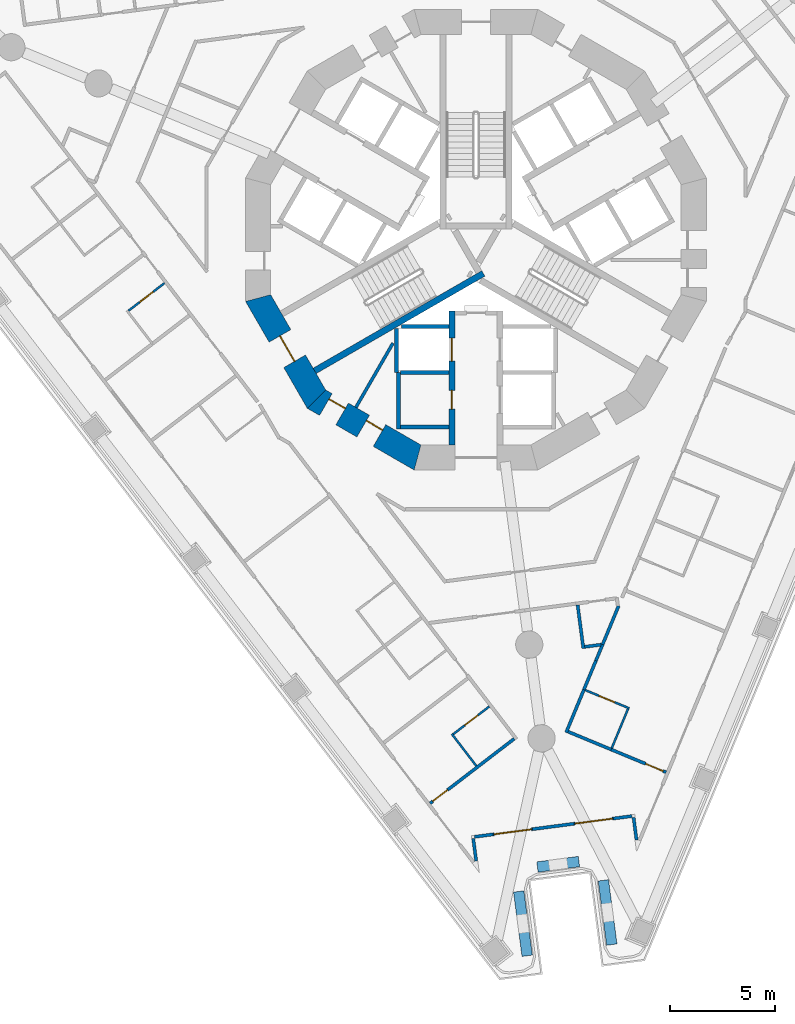
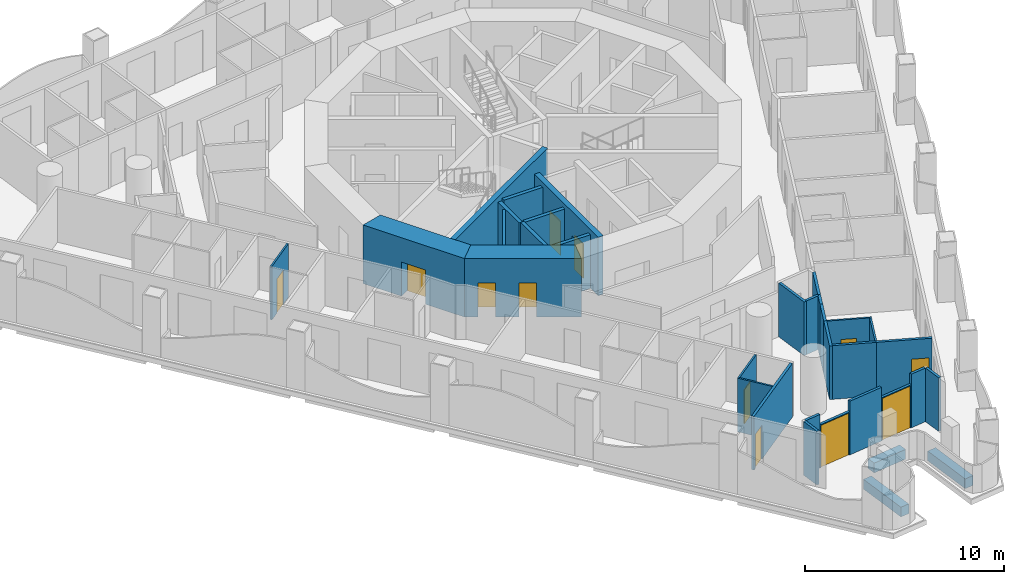
# One storey, part 3 of 19: 34 walls, 12 doors, 12 openings.
"""IFC4 building model written with IfcOpenShell, lengths in metres."""

from ifc_helpers import new_model, si_unit, direction, frame, frame_2d, origin, place, context, subcontext, project, spatial, polyline, rectangle, outline, extrude, material, layer, layer_set, type_object, element, fill, save


model = new_model("IFC4")

# Units and contexts
model_context = context("Model", 3, precision=1e-05, world=origin(), true_north=direction((0.0, 1.0)))
body_context = subcontext(model_context, "Body", "Model", "MODEL_VIEW")
ifc_project = project(units=[si_unit("LENGTHUNIT", "METRE"), si_unit("AREAUNIT", "SQUARE_METRE"), si_unit("VOLUMEUNIT", "CUBIC_METRE"), si_unit("PLANEANGLEUNIT", "RADIAN"), si_unit("MASSUNIT", "GRAM", prefix="KILO")], contexts=[model_context])

# Site, building, storey
site_placement = place(None, origin())
site = spatial("IfcSite", under=ifc_project, at=site_placement, CompositionType="ELEMENT")
building_placement = place(site_placement, origin())
building = spatial("IfcBuilding", under=site, at=building_placement, Name="Trine Commons Tower", CompositionType="ELEMENT")
storey_placement = place(building_placement, frame((0.0, 0.0, 68.39990234375)))
storey = spatial("IfcBuildingStorey", under=building, at=storey_placement, Name="L16", CompositionType="ELEMENT", Elevation=68.39990234375)

# Walls
ifc_material_1 = material(Name="Plasterboard partition on steel studs", Category="steel")
ifc_layer_1 = layer(ifc_material_1, 0.14990234375)
ifc_layer_set_1 = layer_set([ifc_layer_1], Name="Plasterboard partition on steel studs")
wall_type_1 = type_object("IfcWallType", Name="Core room partition 150 mm, EI 60", PredefinedType="PARTITIONING", material=ifc_layer_set_1)
wall_1_placement = place(storey_placement, frame((74.260986328125, 54.48388671875, 0.0), z_axis=(0.0, 0.0, 1.0), x_axis=(0.500062019353, 0.865989593933, 0.0)))
element("IfcWall", 1, at=wall_1_placement, inside=storey, type_object=wall_type_1, Name="Core room partition L16", PredefinedType="PARTITIONING", context=body_context, shape_type="SweptSolid", body=[
    extrude(rectangle(XDim=3.54736328125, YDim=0.14990234375, at=frame_2d((1.773681640625, 0.0))), origin(), (0.0, 0.0, 1.0), 3.300048828125),
])
ifc_material_2 = material(Name="Aluminium-framed insulated wall panel", Category="aluminium")
ifc_layer_2 = layer(ifc_material_2, 0.14990234375)
ifc_layer_set_2 = layer_set([ifc_layer_2], Name="Aluminium-framed insulated wall panel")
wall_type_2 = type_object("IfcWallType", Name="Glazed frame wall 150, EI 60", PredefinedType="SOLIDWALL", material=ifc_layer_set_2)
wall_2_placement = place(storey_placement, frame((87.6953125, 33.6591796875, 0.0), z_axis=(0.0, 0.0, 1.0), x_axis=(-0.130510858064, 0.991446880033, 0.0)))
element("IfcWall", 2, at=wall_2_placement, inside=storey, type_object=wall_type_2, Name="Glazed frame wall R9", PredefinedType="SOLIDWALL", context=body_context, shape_type="SweptSolid", body=[
    extrude(outline(polyline([(0.1494140625, 0.074951171875), (0.1494140625, -0.074951171875), (1.235107421875, -0.074951171875), (1.235107421875, 0.074951171875), (0.1494140625, 0.074951171875)])), origin(), (0.0, 0.0, 1.0), 3.300048828125),
])
wall_3_placement = place(storey_placement, frame((87.55908203125, 34.96240234375, 0.0), z_axis=(0.0, 0.0, 1.0), x_axis=(-0.991465094935, -0.130372410907, 0.0)))
element("IfcWall", 3, at=wall_3_placement, inside=storey, type_object=wall_type_2, Name="Glazed frame wall P3.1", PredefinedType="SOLIDWALL", context=body_context, shape_type="SweptSolid", body=[
    extrude(outline(polyline([(0.110107421875, -0.074951171875), (1.0, -0.074951171875), (1.0, 0.074951171875), (0.110107421875, 0.074951171875), (0.110107421875, -0.074951171875)])), origin(), (0.0, 0.0, 1.0), 3.300048828125),
])

# Wall, opening, door
wall_4_placement = place(storey_placement, frame((86.567626953125, 34.83203125, 0.0), z_axis=(0.0, 0.0, 1.0), x_axis=(-0.991442045538, -0.130547578832, 0.0)))
wall_4 = element("IfcWall", 4, at=wall_4_placement, inside=storey, type_object=wall_type_2, Name="Glazed frame wall P3.2", PredefinedType="SOLIDWALL", context=body_context, shape_type="SweptSolid", body=[
    extrude(outline(polyline([(0.0, -0.074951171875), (1.89990234375, -0.074951171875), (1.89990234375, 0.074951171875), (0.0, 0.074951171875), (0.0, -0.074951171875)])), origin(), (0.0, 0.0, 1.0), 2.650146484375),
])
opening_1_placement = place(wall_4_placement, frame((0.050048828125, 0.0, 0.0)))
opening_1 = element("IfcOpeningElement", 5, at=opening_1_placement, cuts=wall_4, Name="Opening BD-2P3-01", PredefinedType="OPENING", context=body_context, shape_type="SweptSolid", body=[
    extrude(rectangle(XDim=1.800048828125, YDim=2.60009765625, at=frame_2d((0.89990234375, 1.300048828125))), frame((0.0, 0.0849609375, 0.0), z_axis=(0.0, -1.0, 0.0), x_axis=(1.0, 0.0, 0.0)), (0.0, 0.0, 1.0), 0.169921875),
])
ifc_material_3 = material(Name="Anodised aluminium frame with double glazing", Category="aluminium")
door_type_1 = type_object("IfcDoorType", Name="Sliding loggia door 1800x2600", OperationType="SLIDING_TO_LEFT", PredefinedType="DOOR", material=ifc_material_3)
door_1_placement = place(opening_1_placement, origin())
door_1 = element("IfcDoor", 6, at=door_1_placement, inside=storey, type_object=door_type_1, Name="Loggia door P3 1", OperationType="SLIDING_TO_LEFT", OverallHeight=2.60009765625, OverallWidth=1.800048828125, PredefinedType="DOOR", context=body_context, shape_type="SweptSolid", body=[
    extrude(rectangle(XDim=1.800048828125, YDim=2.60009765625, at=frame_2d((0.89990234375, 1.300048828125))), frame((0.0, 0.02490234375, 0.0), z_axis=(0.0, -1.0, 0.0), x_axis=(1.0, 0.0, 0.0)), (0.0, 0.0, 1.0), 0.050048828125),
])
fill(opening_1, door_1)

# Wall
wall_5_placement = place(storey_placement, frame((84.683837890625, 34.583984375, 0.0), z_axis=(0.0, 0.0, 1.0), x_axis=(-0.991449308994, -0.130492404742, 0.0)))
element("IfcWall", 7, at=wall_5_placement, inside=storey, type_object=wall_type_2, Name="Glazed frame wall P3.3", PredefinedType="SOLIDWALL", context=body_context, shape_type="SweptSolid", body=[
    extrude(outline(polyline([(0.0, -0.074951171875), (2.0, -0.074951171875), (2.0, 0.074951171875), (0.0, 0.074951171875), (0.0, -0.074951171875)])), origin(), (0.0, 0.0, 1.0), 3.300048828125),
])

# Wall, opening, door
wall_6_placement = place(storey_placement, frame((82.700927734375, 34.322998046875, 0.0), z_axis=(0.0, 0.0, 1.0), x_axis=(-0.991442045538, -0.130547578832, 0.0)))
wall_6 = element("IfcWall", 8, at=wall_6_placement, inside=storey, type_object=wall_type_2, Name="Glazed frame wall P3.4", PredefinedType="SOLIDWALL", context=body_context, shape_type="SweptSolid", body=[
    extrude(outline(polyline([(0.0, -0.074951171875), (1.89990234375, -0.074951171875), (1.89990234375, 0.074951171875), (0.0, 0.074951171875), (0.0, -0.074951171875)])), origin(), (0.0, 0.0, 1.0), 2.650146484375),
])
opening_2_placement = place(wall_6_placement, frame((0.050048828125, 0.0, 0.0)))
opening_2 = element("IfcOpeningElement", 9, at=opening_2_placement, cuts=wall_6, Name="Opening BD-2P3-02", PredefinedType="OPENING", context=body_context, shape_type="SweptSolid", body=[
    extrude(rectangle(XDim=1.800048828125, YDim=2.60009765625, at=frame_2d((0.89990234375, 1.300048828125))), frame((0.0, 0.0849609375, 0.0), z_axis=(0.0, -1.0, 0.0), x_axis=(1.0, 0.0, 0.0)), (0.0, 0.0, 1.0), 0.169921875),
])
door_2_placement = place(opening_2_placement, origin())
door_2 = element("IfcDoor", 10, at=door_2_placement, inside=storey, type_object=door_type_1, Name="Loggia door P3 2", OperationType="SLIDING_TO_LEFT", OverallHeight=2.60009765625, OverallWidth=1.800048828125, PredefinedType="DOOR", context=body_context, shape_type="SweptSolid", body=[
    extrude(rectangle(XDim=1.800048828125, YDim=2.60009765625, at=frame_2d((0.89990234375, 1.300048828125))), frame((0.0, 0.02490234375, 0.0), z_axis=(0.0, -1.0, 0.0), x_axis=(1.0, 0.0, 0.0)), (0.0, 0.0, 1.0), 0.050048828125),
])
fill(opening_2, door_2)

# Walls
wall_7_placement = place(storey_placement, frame((80.817138671875, 34.074951171875, 0.0), z_axis=(0.0, 0.0, 1.0), x_axis=(-0.991433509034, -0.130612392842, 0.0)))
element("IfcWall", 11, at=wall_7_placement, inside=storey, type_object=wall_type_2, Name="Glazed frame wall P3.5", PredefinedType="SOLIDWALL", context=body_context, shape_type="SweptSolid", body=[
    extrude(outline(polyline([(0.889892578125, 0.074951171875), (0.0, 0.074951171875), (0.0, -0.074951171875), (0.889892578125, -0.074951171875), (0.889892578125, 0.074951171875)])), origin(), (0.0, 0.0, 1.0), 3.300048828125),
])
wall_8_placement = place(storey_placement, frame((79.85595703125, 33.983642578125, 0.0), z_axis=(0.0, 0.0, 1.0), x_axis=(0.130510858064, -0.991446880033, 0.0)))
element("IfcWall", 12, at=wall_8_placement, inside=storey, type_object=wall_type_2, Name="Glazed frame wall R11", PredefinedType="SOLIDWALL", context=body_context, shape_type="SweptSolid", body=[
    extrude(outline(polyline([(0.110107421875, 0.074951171875), (0.110107421875, -0.074951171875), (1.19580078125, -0.074951171875), (1.19580078125, 0.074951171875), (0.110107421875, 0.074951171875)])), origin(), (0.0, 0.0, 1.0), 3.300048828125),
])
ifc_material_4 = material(Name="Planter trough, precast concrete C40/50", Category="concrete")
ifc_layer_3 = layer(ifc_material_4, 0.5)
ifc_layer_set_3 = layer_set([ifc_layer_3], Name="Planter trough, precast concrete C40/50")
wall_type_3 = type_object("IfcWallType", Name="Planter trough 500x600", PredefinedType="PARAPET", material=ifc_layer_set_3)
wall_9_placement = place(storey_placement, frame((86.493408203125, 28.805908203125, 0.0), z_axis=(0.0, 0.0, 1.0), x_axis=(-0.130507484591, 0.9914473241, 0.0)))
element("IfcWall", 13, at=wall_9_placement, inside=storey, type_object=wall_type_3, Name="Planter 7", PredefinedType="PARAPET", context=body_context, shape_type="SweptSolid", body=[
    extrude(rectangle(XDim=3.099853515625, YDim=0.5, at=frame_2d((1.5498046875, 0.0))), origin(), (0.0, 0.0, 1.0), 0.60009765625),
])
wall_10_placement = place(storey_placement, frame((84.922119140625, 32.774658203125, 0.0), z_axis=(0.0, 0.0, 1.0), x_axis=(-0.991433509034, -0.130612392842, 0.0)))
element("IfcWall", 14, at=wall_10_placement, inside=storey, type_object=wall_type_3, Name="Planter 8", PredefinedType="PARAPET", context=body_context, shape_type="SweptSolid", body=[
    extrude(rectangle(XDim=2.0, YDim=0.5, at=frame_2d((1.0, 0.0))), origin(), (0.0, 0.0, 1.0), 0.60009765625),
])
wall_11_placement = place(storey_placement, frame((82.043701171875, 31.3466796875, 0.0), z_axis=(0.0, 0.0, 1.0), x_axis=(0.130574707151, -0.991438473054, 0.0)))
element("IfcWall", 15, at=wall_11_placement, inside=storey, type_object=wall_type_3, Name="Planter 9", PredefinedType="PARAPET", context=body_context, shape_type="SweptSolid", body=[
    extrude(rectangle(XDim=3.10009765625, YDim=0.5, at=frame_2d((1.550048828125, 0.0))), origin(), (0.0, 0.0, 1.0), 0.60009765625),
])

# Wall, opening, door
ifc_material_5 = material(Name="Concrete C80/95", Category="concrete")
ifc_layer_4 = layer(ifc_material_5, 1.199951171875)
ifc_layer_set_4 = layer_set([ifc_layer_4], Name="Concrete C80/95")
wall_type_4 = type_object("IfcWallType", Name="RC shear wall 1200 mm, C80/95", PredefinedType="SHEAR", material=ifc_layer_set_4)
wall_12_placement = place(storey_placement, frame((69.508056640625, 59.849609375, 0.0), z_axis=(0.0, 0.0, 1.0), x_axis=(0.499979111662, -0.866037463336, 0.0)))
wall_12 = element("IfcWall", 16, at=wall_12_placement, inside=storey, type_object=wall_type_4, Name="Core wall CWB-08 L16", PredefinedType="SHEAR", context=body_context, shape_type="SweptSolid", body=[
    extrude(outline(polyline([(0.0, -0.60009765625), (5.901123046875, -0.60009765625), (5.57958984375, 0.60009765625), (0.321533203125, 0.60009765625), (0.0, -0.60009765625)])), origin(), (0.0, 0.0, 1.0), 3.60009765625),
])
opening_3_placement = place(wall_12_placement, frame((2.25048828125, 0.0, 0.0)))
opening_3 = element("IfcOpeningElement", 17, at=opening_3_placement, cuts=wall_12, Name="Opening K07.02", PredefinedType="OPENING", context=body_context, shape_type="SweptSolid", body=[
    extrude(rectangle(XDim=1.39990234375, YDim=2.10009765625, at=frame_2d((0.699951171875, 1.050048828125))), frame((0.0, 0.60986328125, 0.0), z_axis=(0.0, -1.0, 0.0), x_axis=(1.0, 0.0, 0.0)), (0.0, 0.0, 1.0), 1.219970703125),
])
ifc_material_6 = material(Name="Steel door leaves, fire-rated", Category="steel")
door_type_2 = type_object("IfcDoorType", Name="Stair door, double leaf 1400 x 2100, FD90", OperationType="DOUBLE_DOOR_SINGLE_SWING", PredefinedType="DOOR", material=ifc_material_6)
door_3_placement = place(opening_3_placement, origin())
door_3 = element("IfcDoor", 18, at=door_3_placement, inside=storey, type_object=door_type_2, Name="Stair door to Exit stair ST2A L16", OperationType="DOUBLE_DOOR_SINGLE_SWING", OverallHeight=2.10009765625, OverallWidth=1.39990234375, PredefinedType="DOOR", context=body_context, shape_type="SweptSolid", body=[
    extrude(rectangle(XDim=1.39990234375, YDim=2.10009765625, at=frame_2d((0.699951171875, 1.050048828125))), frame((0.0, 0.02490234375, 0.0), z_axis=(0.0, -1.0, 0.0), x_axis=(1.0, 0.0, 0.0)), (0.0, 0.0, 1.0), 0.050048828125),
])
fill(opening_3, door_3)

# Wall, openings, doors
wall_13_placement = place(storey_placement, frame((72.239013671875, 54.95849609375, 0.0), z_axis=(0.0, 0.0, 1.0), x_axis=(0.866037463336, -0.499979111662, 0.0)))
wall_13 = element("IfcWall", 19, at=wall_13_placement, inside=storey, type_object=wall_type_4, Name="Core wall CWB-09 L16", PredefinedType="SHEAR", context=body_context, shape_type="SweptSolid", body=[
    extrude(outline(polyline([(0.0, -0.60009765625), (5.901123046875, -0.60009765625), (5.57958984375, 0.60009765625), (0.321533203125, 0.60009765625), (0.0, -0.60009765625)])), origin(), (0.0, 0.0, 1.0), 3.60009765625),
])
opening_4_placement = place(wall_13_placement, frame((0.676513671875, 0.0, 0.0)))
opening_4 = element("IfcOpeningElement", 20, at=opening_4_placement, cuts=wall_13, Name="Opening K07.15", PredefinedType="OPENING", context=body_context, shape_type="SweptSolid", body=[
    extrude(rectangle(XDim=0.89990234375, YDim=2.10009765625, at=frame_2d((0.449951171875, 1.050048828125))), frame((0.0, 0.60986328125, 0.0), z_axis=(0.0, -1.0, 0.0), x_axis=(1.0, 0.0, 0.0)), (0.0, 0.0, 1.0), 1.219970703125),
])
opening_5_placement = place(wall_13_placement, frame((2.738525390625, 0.0, 0.0)))
opening_5 = element("IfcOpeningElement", 21, at=opening_5_placement, cuts=wall_13, Name="Opening K07.16", PredefinedType="OPENING", context=body_context, shape_type="SweptSolid", body=[
    extrude(rectangle(XDim=0.89990234375, YDim=2.10009765625, at=frame_2d((0.449951171875, 1.050048828125))), frame((0.0, 0.60986328125, 0.0), z_axis=(0.0, -1.0, 0.0), x_axis=(1.0, 0.0, 0.0)), (0.0, 0.0, 1.0), 1.219970703125),
])
ifc_material_7 = material(Name="Steel door leaf, fire-rated", Category="steel")
door_type_3 = type_object("IfcDoorType", Name="Core room door, single leaf 900 x 2100, FD30S", OperationType="SINGLE_SWING_LEFT", PredefinedType="DOOR", material=ifc_material_7)
door_4_placement = place(opening_4_placement, origin())
door_4 = element("IfcDoor", 22, at=door_4_placement, inside=storey, type_object=door_type_3, Name="Door to Cleaner's store L16", OperationType="SINGLE_SWING_LEFT", OverallHeight=2.10009765625, OverallWidth=0.89990234375, PredefinedType="DOOR", context=body_context, shape_type="SweptSolid", body=[
    extrude(rectangle(XDim=0.89990234375, YDim=2.10009765625, at=frame_2d((0.449951171875, 1.050048828125))), frame((0.0, 0.3251953125, 0.0), z_axis=(0.0, -1.0, 0.0), x_axis=(1.0, 0.0, 0.0)), (0.0, 0.0, 1.0), 0.050048828125),
])
fill(opening_4, door_4)
door_5_placement = place(opening_5_placement, origin())
door_5 = element("IfcDoor", 23, at=door_5_placement, inside=storey, type_object=door_type_3, Name="Door to Accessible WC L16", OperationType="SINGLE_SWING_RIGHT", OverallHeight=2.10009765625, OverallWidth=0.89990234375, PredefinedType="DOOR", context=body_context, shape_type="SweptSolid", body=[
    extrude(rectangle(XDim=0.89990234375, YDim=2.10009765625, at=frame_2d((0.449951171875, 1.050048828125))), frame((0.0, 0.3251953125, 0.0), z_axis=(0.0, -1.0, 0.0), x_axis=(1.0, 0.0, 0.0)), (0.0, 0.0, 1.0), 0.050048828125),
])
fill(opening_5, door_5)

ifc_layer_5 = layer(ifc_material_5, 0.300048828125)
ifc_layer_set_5 = layer_set([ifc_layer_5], Name="Concrete C80/95")
wall_type_5 = type_object("IfcWallType", Name="RC shear wall 300 mm, C80/95", PredefinedType="SHEAR", material=ifc_layer_set_5)
wall_14_placement = place(storey_placement, frame((78.85009765625, 59.10009765625, 0.0), z_axis=(0.0, 0.0, 1.0), x_axis=(0.0, -1.0, 0.0)))
wall_14 = element("IfcWall", 24, at=wall_14_placement, inside=storey, type_object=wall_type_5, Name="Core cross wall SWA-03 L16", PredefinedType="SHEAR", context=body_context, shape_type="SweptSolid", body=[
    extrude(rectangle(XDim=6.412109375, YDim=0.300048828125, at=frame_2d((3.2060546875, 0.0))), origin(), (0.0, 0.0, 1.0), 3.60009765625),
])
opening_6_placement = place(wall_14_placement, frame((3.800048828125, 0.0, 0.0)))
opening_6 = element("IfcOpeningElement", 25, at=opening_6_placement, cuts=wall_14, Name="Opening K07.10", PredefinedType="OPENING", context=body_context, shape_type="SweptSolid", body=[
    extrude(rectangle(XDim=0.89990234375, YDim=2.10009765625, at=frame_2d((0.449951171875, 1.050048828125))), frame((0.0, 0.159912109375, 0.0), z_axis=(0.0, -1.0, 0.0), x_axis=(1.0, 0.0, 0.0)), (0.0, 0.0, 1.0), 0.320068359375),
])
opening_7_placement = place(wall_14_placement, frame((1.300048828125, 0.0, 0.0)))
opening_7 = element("IfcOpeningElement", 26, at=opening_7_placement, cuts=wall_14, Name="Opening LD10", PredefinedType="OPENING", context=body_context, shape_type="SweptSolid", body=[
    extrude(rectangle(XDim=1.10009765625, YDim=2.10009765625, at=frame_2d((0.550048828125, 1.050048828125))), frame((0.0, 0.159912109375, 0.0), z_axis=(0.0, -1.0, 0.0), x_axis=(1.0, 0.0, 0.0)), (0.0, 0.0, 1.0), 0.320068359375),
])
door_6_placement = place(opening_6_placement, frame((0.89990234375, 0.0, 0.0), z_axis=(0.0, 0.0, 1.0), x_axis=(-1.0, 0.0, 0.0)))
door_6 = element("IfcDoor", 27, at=door_6_placement, inside=storey, type_object=door_type_3, Name="Door to Pantry L16", OperationType="SINGLE_SWING_RIGHT", OverallHeight=2.10009765625, OverallWidth=0.89990234375, PredefinedType="DOOR", context=body_context, shape_type="SweptSolid", body=[
    extrude(rectangle(XDim=0.89990234375, YDim=2.10009765625, at=frame_2d((0.449951171875, 1.050048828125))), frame((0.0, 0.02490234375, 0.0), z_axis=(0.0, -1.0, 0.0), x_axis=(1.0, 0.0, 0.0)), (0.0, 0.0, 1.0), 0.050048828125),
])
fill(opening_6, door_6)
ifc_material_8 = material(Name="Stainless steel sliding door leaves", Category="steel")
door_type_4 = type_object("IfcDoorType", Name="Lift landing door, centre-opening sliding 1100 x 2100, FD90", OperationType="DOUBLE_DOOR_SLIDING", PredefinedType="DOOR", material=ifc_material_8)
door_7_placement = place(opening_7_placement, origin())
door_7 = element("IfcDoor", 28, at=door_7_placement, inside=storey, type_object=door_type_4, Name="Lift landing door FF2 L16", OperationType="DOUBLE_DOOR_SLIDING", OverallHeight=2.10009765625, OverallWidth=1.10009765625, PredefinedType="DOOR", context=body_context, shape_type="SweptSolid", body=[
    extrude(rectangle(XDim=1.10009765625, YDim=2.10009765625, at=frame_2d((0.550048828125, 1.050048828125))), frame((0.0, 0.02490234375, 0.0), z_axis=(0.0, -1.0, 0.0), x_axis=(1.0, 0.0, 0.0)), (0.0, 0.0, 1.0), 0.050048828125),
])
fill(opening_7, door_7)

# Walls
wall_15_placement = place(storey_placement, frame((80.35400390625, 60.885986328125, 0.0), z_axis=(0.0, 0.0, 1.0), x_axis=(-0.865986456211, -0.50006745311, 0.0)))
element("IfcWall", 29, at=wall_15_placement, inside=storey, type_object=wall_type_5, Name="Core cross wall SWA-14 L16", PredefinedType="SHEAR", context=body_context, shape_type="SweptSolid", body=[
    extrude(rectangle(XDim=9.310791015625, YDim=0.300048828125, at=frame_2d((4.6552734375, 0.0))), origin(), (0.0, 0.0, 1.0), 3.60009765625),
])
ifc_material_9 = material(Name="Fire-rated gypsum shaft wall system")
ifc_layer_6 = layer(ifc_material_9, 0.199951171875)
ifc_layer_set_6 = layer_set([ifc_layer_6], Name="Fire-rated gypsum shaft wall system")
wall_type_6 = type_object("IfcWallType", Name="Shaft wall 200 mm, EI 120", PredefinedType="PARTITIONING", material=ifc_layer_set_6)
wall_16_placement = place(storey_placement, frame((76.199951171875, 58.256103515625, 0.0), z_axis=(0.0, 0.0, 1.0), x_axis=(0.0, -1.0, 0.0)))
element("IfcWall", 30, at=wall_16_placement, inside=storey, type_object=wall_type_6, Name="Shaft wall L16", PredefinedType="PARTITIONING", context=body_context, shape_type="SweptSolid", body=[
    extrude(rectangle(XDim=2.106201171875, YDim=0.199951171875, at=frame_2d((1.05322265625, 0.0))), origin(), (0.0, 0.0, 1.0), 3.300048828125),
])
wall_17_placement = place(storey_placement, frame((76.300048828125, 56.14990234375, 0.0), z_axis=(0.0, 0.0, 1.0), x_axis=(0.0, -1.0, 0.0)))
element("IfcWall", 31, at=wall_17_placement, inside=storey, type_object=wall_type_6, Name="Shaft wall L16", PredefinedType="PARTITIONING", context=body_context, shape_type="SweptSolid", body=[
    extrude(rectangle(XDim=2.699951171875, YDim=0.199951171875, at=frame_2d((1.35009765625, 0.0))), origin(), (0.0, 0.0, 1.0), 3.300048828125),
])
for number, where, z_axis, x_axis, name in (
    (32, (78.699951171875, 53.550048828125, 0.0), (0.0, 0.0, 1.0), (-1.0, 0.0, 0.0), "Shaft wall L16"),
    (33, (78.699951171875, 56.14990234375, 0.0), (0.0, 0.0, 1.0), (-1.0, 0.0, 0.0), "Shaft wall L16"),
):
    element("IfcWall", number, at=place(storey_placement, frame(where, z_axis=z_axis, x_axis=x_axis)), inside=storey, type_object=wall_type_6, Name=name, PredefinedType="PARTITIONING", context=body_context, shape_type="SweptSolid", body=[
        extrude(rectangle(XDim=2.300048828125, YDim=0.199951171875, at=frame_2d((1.14990234375, 0.0))), origin(), (0.0, 0.0, 1.0), 3.300048828125),
    ])
wall_18_placement = place(storey_placement, frame((78.699951171875, 58.35009765625, 0.0), z_axis=(0.0, 0.0, 1.0), x_axis=(-1.0, 0.0, 0.0)))
element("IfcWall", 34, at=wall_18_placement, inside=storey, type_object=wall_type_6, Name="Shaft wall L16", PredefinedType="PARTITIONING", context=body_context, shape_type="SweptSolid", body=[
    extrude(rectangle(XDim=2.264892578125, YDim=0.199951171875, at=frame_2d((1.13232421875, 0.0))), origin(), (0.0, 0.0, 1.0), 3.300048828125),
])

# Wall, opening, door
ifc_material_10 = material(Name="Gypsum plasterboard on steel stud", Category="steel")
ifc_layer_7 = layer(ifc_material_10, 0.14990234375)
ifc_layer_set_7 = layer_set([ifc_layer_7], Name="Gypsum plasterboard on steel stud")
wall_type_7 = type_object("IfcWallType", Name="Unit and corridor wall 150 mm, EI 60", PredefinedType="PARTITIONING", material=ifc_layer_set_7)
wall_19_placement = place(storey_placement, frame((77.810791015625, 35.560302734375, 0.0), z_axis=(0.0, 0.0, 1.0), x_axis=(0.793261664916, 0.60888088406, 0.0)))
wall_19 = element("IfcWall", 35, at=wall_19_placement, inside=storey, type_object=wall_type_7, Name="Partition 074", PredefinedType="PARTITIONING", context=body_context, shape_type="SweptSolid", body=[
    extrude(rectangle(XDim=5.0634765625, YDim=0.14990234375, at=frame_2d((2.53173828125, 0.0))), origin(), (0.0, 0.0, 1.0), 3.300048828125),
])
opening_8_placement = place(wall_19_placement, frame((0.14990234375, 0.0, 0.0)))
opening_8 = element("IfcOpeningElement", 36, at=opening_8_placement, cuts=wall_19, Name="Opening D-2B23", PredefinedType="OPENING", context=body_context, shape_type="SweptSolid", body=[
    extrude(rectangle(XDim=0.89990234375, YDim=2.10009765625, at=frame_2d((0.449951171875, 1.050048828125))), frame((0.0, 0.0849609375, 0.0), z_axis=(0.0, -1.0, 0.0), x_axis=(1.0, 0.0, 0.0)), (0.0, 0.0, 1.0), 0.169921875),
])
ifc_material_11 = material(Name="Timber fire door set", Category="wood")
door_type_5 = type_object("IfcDoorType", Name="Bedroom door 900 x 2100, FD30S", OperationType="NOTDEFINED", PredefinedType="DOOR", material=ifc_material_11)
door_8_placement = place(opening_8_placement, origin())
door_8 = element("IfcDoor", 37, at=door_8_placement, inside=storey, type_object=door_type_5, Name="Door D-2B23", OperationType="SINGLE_SWING_LEFT", OverallHeight=2.10009765625, OverallWidth=0.89990234375, PredefinedType="DOOR", context=body_context, shape_type="SweptSolid", body=[
    extrude(rectangle(XDim=0.89990234375, YDim=2.10009765625, at=frame_2d((0.449951171875, 1.050048828125))), frame((0.0, 0.02490234375, 0.0), z_axis=(0.0, -1.0, 0.0), x_axis=(1.0, 0.0, 0.0)), (0.0, 0.0, 1.0), 0.050048828125),
])
fill(opening_8, door_8)

# Walls
wall_20_placement = place(storey_placement, frame((84.310302734375, 38.941650390625, 0.0), z_axis=(0.0, 0.0, 1.0), x_axis=(0.382789938294, 0.923835409118, 0.0)))
element("IfcWall", 38, at=wall_20_placement, inside=storey, type_object=wall_type_7, Name="Partition 085", PredefinedType="PARTITIONING", context=body_context, shape_type="SweptSolid", body=[
    extrude(rectangle(XDim=2.280029296875, YDim=0.14990234375, at=frame_2d((1.14013671875, 0.0))), origin(), (0.0, 0.0, 1.0), 3.300048828125),
])
wall_21_placement = place(storey_placement, frame((84.408203125, 38.982421875, 0.0), z_axis=(0.0, 0.0, 1.0), x_axis=(0.923765743921, -0.382958026888, 0.0)))
element("IfcWall", 39, at=wall_21_placement, inside=storey, type_object=wall_type_7, Name="Partition 086", PredefinedType="PARTITIONING", context=body_context, shape_type="SweptSolid", body=[
    extrude(rectangle(XDim=2.228759765625, YDim=0.14990234375, at=frame_2d((1.1142578125, 0.0))), origin(), (0.0, 0.0, 1.0), 3.300048828125),
])
wall_22_placement = place(storey_placement, frame((84.86083984375, 45.03759765625, 0.0), z_axis=(0.0, 0.0, 1.0), x_axis=(0.130899564309, -0.991395634479, 0.0)))
element("IfcWall", 40, at=wall_22_placement, inside=storey, type_object=wall_type_7, Name="Partition 088", PredefinedType="PARTITIONING", context=body_context, shape_type="SweptSolid", body=[
    extrude(rectangle(XDim=2.10009765625, YDim=0.14990234375, at=frame_2d((1.050048828125, 0.0))), origin(), (0.0, 0.0, 1.0), 3.300048828125),
])
wall_23_placement = place(storey_placement, frame((85.200439453125, 43.039794921875, 0.0), z_axis=(0.0, 0.0, 1.0), x_axis=(0.991515431038, 0.129989038049, 0.0)))
element("IfcWall", 41, at=wall_23_placement, inside=storey, type_object=wall_type_7, Name="Partition 089", PredefinedType="PARTITIONING", context=body_context, shape_type="SweptSolid", body=[
    extrude(rectangle(XDim=0.786865234375, YDim=0.14990234375, at=frame_2d((0.3935546875, 0.0))), origin(), (0.0, 0.0, 1.0), 3.300048828125),
])
wall_24_placement = place(storey_placement, frame((85.160888671875, 40.993896484375, 0.0), z_axis=(0.0, 0.0, 1.0), x_axis=(0.382519732759, 0.923947322118, 0.0)))
element("IfcWall", 42, at=wall_24_placement, inside=storey, type_object=wall_type_7, Name="Partition 090", PredefinedType="PARTITIONING", context=body_context, shape_type="SweptSolid", body=[
    extrude(rectangle(XDim=1.498046875, YDim=0.14990234375, at=frame_2d((0.7490234375, 0.0))), origin(), (0.0, 0.0, 1.0), 3.300048828125),
])
wall_25_placement = place(storey_placement, frame((85.73388671875, 42.3779296875, 0.0), z_axis=(0.0, 0.0, 1.0), x_axis=(0.383063523393, 0.923722002036, 0.0)))
element("IfcWall", 43, at=wall_25_placement, inside=storey, type_object=wall_type_7, Name="Partition 095", PredefinedType="PARTITIONING", context=body_context, shape_type="SweptSolid", body=[
    extrude(rectangle(XDim=0.838134765625, YDim=0.14990234375, at=frame_2d((0.4189453125, 0.0))), origin(), (0.0, 0.0, 1.0), 3.300048828125),
])
wall_26_placement = place(storey_placement, frame((86.054931640625, 43.152099609375, 0.0), z_axis=(0.0, 0.0, 1.0), x_axis=(0.382829605696, 0.923818971987, 0.0)))
element("IfcWall", 44, at=wall_26_placement, inside=storey, type_object=wall_type_7, Name="Partition 096", PredefinedType="PARTITIONING", context=body_context, shape_type="SweptSolid", body=[
    extrude(rectangle(XDim=2.00048828125, YDim=0.14990234375, at=frame_2d((1.000244140625, 0.0))), origin(), (0.0, 0.0, 1.0), 3.300048828125),
])

# Wall, opening, door
wall_27_placement = place(storey_placement, frame((86.413818359375, 38.151123046875, 0.0), z_axis=(0.0, 0.0, 1.0), x_axis=(0.923916054036, -0.382595249703, 0.0)))
wall_27 = element("IfcWall", 45, at=wall_27_placement, inside=storey, type_object=wall_type_7, Name="Partition 097", PredefinedType="PARTITIONING", context=body_context, shape_type="SweptSolid", body=[
    extrude(rectangle(XDim=2.893310546875, YDim=0.14990234375, at=frame_2d((1.44677734375, 0.0))), origin(), (0.0, 0.0, 1.0), 3.300048828125),
])
opening_9_placement = place(wall_27_placement, frame((1.84326171875, 0.0, 0.0)))
opening_9 = element("IfcOpeningElement", 46, at=opening_9_placement, cuts=wall_27, Name="Opening D-2B22", PredefinedType="OPENING", context=body_context, shape_type="SweptSolid", body=[
    extrude(rectangle(XDim=0.89990234375, YDim=2.10009765625, at=frame_2d((0.449951171875, 1.050048828125))), frame((0.0, 0.0849609375, 0.0), z_axis=(0.0, -1.0, 0.0), x_axis=(1.0, 0.0, 0.0)), (0.0, 0.0, 1.0), 0.169921875),
])
door_9_placement = place(opening_9_placement, origin())
door_9 = element("IfcDoor", 47, at=door_9_placement, inside=storey, type_object=door_type_5, Name="Door D-2B22", OperationType="SINGLE_SWING_RIGHT", OverallHeight=2.10009765625, OverallWidth=0.89990234375, PredefinedType="DOOR", context=body_context, shape_type="SweptSolid", body=[
    extrude(rectangle(XDim=0.89990234375, YDim=2.10009765625, at=frame_2d((0.449951171875, 1.050048828125))), frame((0.0, 0.02490234375, 0.0), z_axis=(0.0, -1.0, 0.0), x_axis=(1.0, 0.0, 0.0)), (0.0, 0.0, 1.0), 0.050048828125),
])
fill(opening_9, door_9)

ifc_layer_8 = layer(ifc_material_10, 0.10009765625)
ifc_layer_set_8 = layer_set([ifc_layer_8], Name="Gypsum plasterboard on steel stud")
wall_type_8 = type_object("IfcWallType", Name="Unit partition 100 mm, no rating", PredefinedType="PARTITIONING", material=ifc_layer_set_8)
wall_28_placement = place(storey_placement, frame((63.388671875, 59.101318359375, 0.0), z_axis=(0.0, 0.0, 1.0), x_axis=(0.79342025342, 0.608674216197, 0.0)))
wall_28 = element("IfcWall", 48, at=wall_28_placement, inside=storey, type_object=wall_type_8, Name="Partition 024", PredefinedType="PARTITIONING", context=body_context, shape_type="SweptSolid", body=[
    extrude(rectangle(XDim=2.17529296875, YDim=0.10009765625, at=frame_2d((1.087646484375, 0.0))), origin(), (0.0, 0.0, 1.0), 3.300048828125),
])
opening_10_placement = place(wall_28_placement, frame((0.6875, 0.0, 0.0)))
opening_10 = element("IfcOpeningElement", 49, at=opening_10_placement, cuts=wall_28, Name="Opening D-2B55", PredefinedType="OPENING", context=body_context, shape_type="SweptSolid", body=[
    extrude(rectangle(XDim=0.800048828125, YDim=2.10009765625, at=frame_2d((0.39990234375, 1.050048828125))), frame((0.0, 0.06005859375, 0.0), z_axis=(0.0, -1.0, 0.0), x_axis=(1.0, 0.0, 0.0)), (0.0, 0.0, 1.0), 0.1201171875),
])
ifc_material_12 = material(Name="Painted timber", Category="wood")
door_type_6 = type_object("IfcDoorType", Name="Internal door 800 x 2100, NOT RATED", OperationType="NOTDEFINED", PredefinedType="DOOR", material=ifc_material_12)
door_10_placement = place(opening_10_placement, origin())
door_10 = element("IfcDoor", 50, at=door_10_placement, inside=storey, type_object=door_type_6, Name="Door D-2B55", OperationType="SINGLE_SWING_RIGHT", OverallHeight=2.10009765625, OverallWidth=0.800048828125, PredefinedType="DOOR", context=body_context, shape_type="SweptSolid", body=[
    extrude(rectangle(XDim=0.800048828125, YDim=2.10009765625, at=frame_2d((0.39990234375, 1.050048828125))), frame((0.0, 0.02490234375, 0.0), z_axis=(0.0, -1.0, 0.0), x_axis=(1.0, 0.0, 0.0)), (0.0, 0.0, 1.0), 0.050048828125),
])
fill(opening_10, door_10)

# Wall
wall_29_placement = place(storey_placement, frame((78.845703125, 38.875732421875, 0.0), z_axis=(0.0, 0.0, 1.0), x_axis=(0.608649853766, -0.793438942522, 0.0)))
element("IfcWall", 51, at=wall_29_placement, inside=storey, type_object=wall_type_8, Name="Partition 077", PredefinedType="PARTITIONING", context=body_context, shape_type="SweptSolid", body=[
    extrude(rectangle(XDim=1.925048828125, YDim=0.10009765625, at=frame_2d((0.96240234375, 0.0))), origin(), (0.0, 0.0, 1.0), 3.300048828125),
])

# Wall, opening, door
wall_30_placement = place(storey_placement, frame((78.915771484375, 38.866455078125, 0.0), z_axis=(0.0, 0.0, 1.0), x_axis=(0.793266438723, 0.608874664603, 0.0)))
wall_30 = element("IfcWall", 52, at=wall_30_placement, inside=storey, type_object=wall_type_8, Name="Partition 078", PredefinedType="PARTITIONING", context=body_context, shape_type="SweptSolid", body=[
    extrude(rectangle(XDim=2.174072265625, YDim=0.10009765625, at=frame_2d((1.0869140625, 0.0))), origin(), (0.0, 0.0, 1.0), 3.300048828125),
])
opening_11_placement = place(wall_30_placement, frame((0.687255859375, 0.0, 0.0)))
opening_11 = element("IfcOpeningElement", 53, at=opening_11_placement, cuts=wall_30, Name="Opening D-2B51", PredefinedType="OPENING", context=body_context, shape_type="SweptSolid", body=[
    extrude(rectangle(XDim=0.800048828125, YDim=2.10009765625, at=frame_2d((0.39990234375, 1.050048828125))), frame((0.0, 0.06005859375, 0.0), z_axis=(0.0, -1.0, 0.0), x_axis=(1.0, 0.0, 0.0)), (0.0, 0.0, 1.0), 0.1201171875),
])
door_11_placement = place(opening_11_placement, origin())
door_11 = element("IfcDoor", 54, at=door_11_placement, inside=storey, type_object=door_type_6, Name="Door D-2B51", OperationType="SINGLE_SWING_RIGHT", OverallHeight=2.10009765625, OverallWidth=0.800048828125, PredefinedType="DOOR", context=body_context, shape_type="SweptSolid", body=[
    extrude(rectangle(XDim=0.800048828125, YDim=2.10009765625, at=frame_2d((0.39990234375, 1.050048828125))), frame((0.0, 0.02490234375, 0.0), z_axis=(0.0, -1.0, 0.0), x_axis=(1.0, 0.0, 0.0)), (0.0, 0.0, 1.0), 0.050048828125),
])
fill(opening_11, door_11)

wall_31_placement = place(storey_placement, frame((85.231201171875, 40.96923828125, 0.0), z_axis=(0.0, 0.0, 1.0), x_axis=(0.923931833824, -0.382557141415, 0.0)))
wall_31 = element("IfcWall", 55, at=wall_31_placement, inside=storey, type_object=wall_type_8, Name="Partition 092", PredefinedType="PARTITIONING", context=body_context, shape_type="SweptSolid", body=[
    extrude(rectangle(XDim=2.275146484375, YDim=0.10009765625, at=frame_2d((1.1376953125, 0.0))), origin(), (0.0, 0.0, 1.0), 3.300048828125),
])
opening_12_placement = place(wall_31_placement, frame((0.71240234375, 0.0, 0.0)))
opening_12 = element("IfcOpeningElement", 56, at=opening_12_placement, cuts=wall_31, Name="Opening D-2B50", PredefinedType="OPENING", context=body_context, shape_type="SweptSolid", body=[
    extrude(rectangle(XDim=0.800048828125, YDim=2.10009765625, at=frame_2d((0.39990234375, 1.050048828125))), frame((0.0, 0.06005859375, 0.0), z_axis=(0.0, -1.0, 0.0), x_axis=(1.0, 0.0, 0.0)), (0.0, 0.0, 1.0), 0.1201171875),
])
door_12_placement = place(opening_12_placement, origin())
door_12 = element("IfcDoor", 57, at=door_12_placement, inside=storey, type_object=door_type_6, Name="Door D-2B50", OperationType="SINGLE_SWING_LEFT", OverallHeight=2.10009765625, OverallWidth=0.800048828125, PredefinedType="DOOR", context=body_context, shape_type="SweptSolid", body=[
    extrude(rectangle(XDim=0.800048828125, YDim=2.10009765625, at=frame_2d((0.39990234375, 1.050048828125))), frame((0.0, 0.02490234375, 0.0), z_axis=(0.0, -1.0, 0.0), x_axis=(1.0, 0.0, 0.0)), (0.0, 0.0, 1.0), 0.050048828125),
])
fill(opening_12, door_12)

# Wall
wall_32_placement = place(storey_placement, frame((86.49267578125, 38.2001953125, 0.0), z_axis=(0.0, 0.0, 1.0), x_axis=(0.382646278951, 0.923894921084, 0.0)))
element("IfcWall", 58, at=wall_32_placement, inside=storey, type_object=wall_type_8, Name="Partition 098", PredefinedType="PARTITIONING", context=body_context, shape_type="SweptSolid", body=[
    extrude(rectangle(XDim=2.025634765625, YDim=0.10009765625, at=frame_2d((1.0126953125, 0.0))), origin(), (0.0, 0.0, 1.0), 3.300048828125),
])

save(model, "model.ifc")
